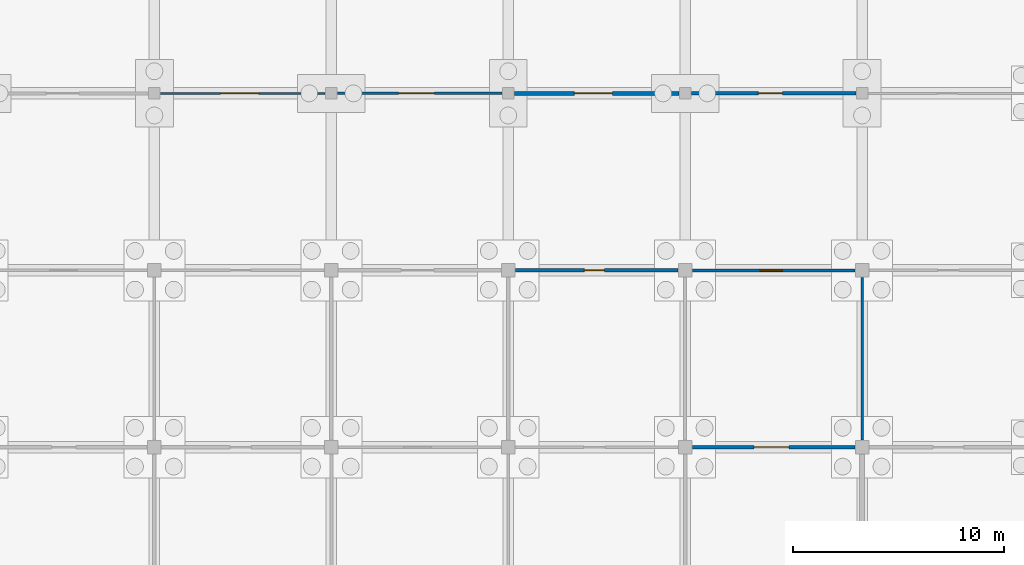
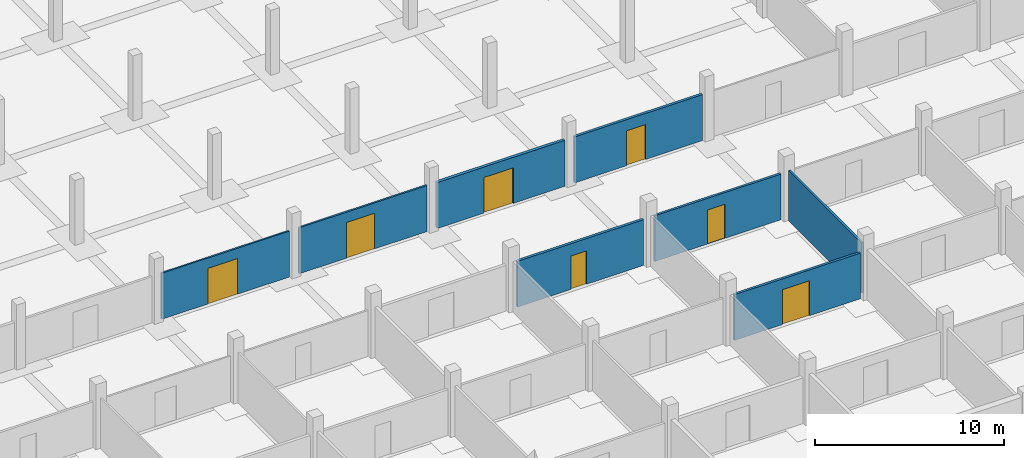
# One storey, part 24 of 43: 8 walls, 7 doors, 7 openings.
"""IFC4 building model written with IfcOpenShell, lengths in metres."""

from ifc_helpers import new_model, si_unit, direction, frame, frame_2d, origin, place, context, subcontext, project, spatial, rectangle, extrude, material, layer, layer_set, type_object, element, fill, save


model = new_model("IFC4")

# Units and contexts
model_context = context("Model", 3, precision=1e-05, world=origin(), true_north=direction((0.0, 1.0)))
body_context = subcontext(model_context, "Body", "Model", "MODEL_VIEW")
ifc_project = project(units=[si_unit("LENGTHUNIT", "METRE"), si_unit("AREAUNIT", "SQUARE_METRE"), si_unit("VOLUMEUNIT", "CUBIC_METRE"), si_unit("PLANEANGLEUNIT", "RADIAN"), si_unit("MASSUNIT", "GRAM", prefix="KILO")], contexts=[model_context])

# Site, building, storey
site_placement = place(None, origin())
site = spatial("IfcSite", under=ifc_project, at=site_placement, CompositionType="ELEMENT")
building_placement = place(site_placement, origin())
building = spatial("IfcBuilding", under=site, at=building_placement, Name="Varnapada Polytechnic", CompositionType="ELEMENT")
storey_placement = place(building_placement, frame((0.0, 0.0, -4.199951171875)))
storey = spatial("IfcBuildingStorey", under=building, at=storey_placement, Name="B1", CompositionType="ELEMENT", Elevation=-4.199951171875)

# Wall, opening, door
ifc_material_1 = material(Name="Autoclaved Aerated Concrete Block AAC-600", Category="concrete")
ifc_layer_1 = layer(ifc_material_1, 0.14990234375)
ifc_layer_set_1 = layer_set([ifc_layer_1], Name="Autoclaved Aerated Concrete Block AAC-600")
wall_type_1 = type_object("IfcWallType", Name="Interior Wall IW-02", PredefinedType="PARTITIONING", material=ifc_layer_set_1)
wall_1_placement = place(storey_placement, frame((117.945068359375, 33.60009765625, 0.0), z_axis=(0.0, 0.0, 1.0), x_axis=(1.0, 0.0, 0.0)))
wall_1 = element("IfcWall", 1, at=wall_1_placement, inside=storey, type_object=wall_type_1, Name="B1 interior partition IW-B1-14-03-H", PredefinedType="PARTITIONING", context=body_context, shape_type="SweptSolid", body=[
    extrude(rectangle(XDim=7.7099609375, YDim=0.14990234375, at=frame_2d((3.85498046875, 0.0))), origin(), (0.0, 0.0, 1.0), 2.949951171875),
])
opening_1_placement = place(wall_1_placement, frame((2.925048828125, 0.0, 0.0)))
opening_1 = element("IfcOpeningElement", 2, at=opening_1_placement, cuts=wall_1, Name="Opening D-737", PredefinedType="OPENING", context=body_context, shape_type="SweptSolid", body=[
    extrude(rectangle(XDim=1.64990234375, YDim=2.25, at=frame_2d((0.824951171875, 1.125))), frame((0.0, 0.0849609375, 0.0), z_axis=(0.0, -1.0, 0.0), x_axis=(1.0, 0.0, 0.0)), (0.0, 0.0, 1.0), 0.169921875),
])
ifc_material_2 = material(Name="Solid Teak Hardwood Timber", Category="wood")
door_type_1 = type_object("IfcDoorType", Name="Interior Door ID-08", OperationType="NOTDEFINED", PredefinedType="DOOR", material=ifc_material_2)
door_1_placement = place(opening_1_placement, frame((1.64990234375, 0.0, 0.0), z_axis=(0.0, 0.0, 1.0), x_axis=(-1.0, 0.0, 0.0)))
door_1 = element("IfcDoor", 3, at=door_1_placement, inside=storey, type_object=door_type_1, Name="B1 interior room door D-737", OperationType="SINGLE_SWING_RIGHT", OverallHeight=2.25, OverallWidth=1.64990234375, PredefinedType="DOOR", context=body_context, shape_type="SweptSolid", body=[
    extrude(rectangle(XDim=1.64990234375, YDim=2.25, at=frame_2d((0.824951171875, 1.125))), frame((0.0, 0.02490234375, 0.0), z_axis=(0.0, -1.0, 0.0), x_axis=(1.0, 0.0, 0.0)), (0.0, 0.0, 1.0), 0.050048828125),
])
fill(opening_1, door_1)

# Wall
ifc_material_3 = material(Name="Gypsum Plasterboard Acoustic Partition")
ifc_layer_2 = layer(ifc_material_3, 0.125)
ifc_layer_set_2 = layer_set([ifc_layer_2], Name="Gypsum Plasterboard Acoustic Partition")
wall_type_2 = type_object("IfcWallType", Name="Interior Wall IW-03", PredefinedType="PARTITIONING", material=ifc_layer_set_2)
wall_2_placement = place(storey_placement, frame((126.0, 33.945068359375, 0.0), z_axis=(0.0, 0.0, 1.0), x_axis=(0.0, 1.0, 0.0)))
element("IfcWall", 4, at=wall_2_placement, inside=storey, type_object=wall_type_2, Name="B1 interior partition IW-B1-14-04-V", PredefinedType="PARTITIONING", context=body_context, shape_type="SweptSolid", body=[
    extrude(rectangle(XDim=7.7099609375, YDim=0.125, at=frame_2d((3.85498046875, 0.0))), origin(), (0.0, 0.0, 1.0), 3.25),
])

# Wall, opening, door
ifc_material_4 = material(Name="Moisture-Resistant Cement Board Partition")
ifc_layer_3 = layer(ifc_material_4, 0.139892578125)
ifc_layer_set_3 = layer_set([ifc_layer_3], Name="Moisture-Resistant Cement Board Partition")
wall_type_3 = type_object("IfcWallType", Name="Interior Wall IW-04", PredefinedType="PARTITIONING", material=ifc_layer_set_3)
wall_3_placement = place(storey_placement, frame((117.945068359375, 42.0, 0.0), z_axis=(0.0, 0.0, 1.0), x_axis=(1.0, 0.0, 0.0)))
wall_3 = element("IfcWall", 5, at=wall_3_placement, inside=storey, type_object=wall_type_3, Name="B1 interior partition IW-B1-14-04-H", PredefinedType="PARTITIONING", context=body_context, shape_type="SweptSolid", body=[
    extrude(rectangle(XDim=7.7099609375, YDim=0.139892578125, at=frame_2d((3.85498046875, 0.0))), origin(), (0.0, 0.0, 1.0), 2.949951171875),
])
opening_2_placement = place(wall_3_placement, frame((3.22509765625, 0.0, 0.0)))
opening_2 = element("IfcOpeningElement", 6, at=opening_2_placement, cuts=wall_3, Name="Opening D-738", PredefinedType="OPENING", context=body_context, shape_type="SweptSolid", body=[
    extrude(rectangle(XDim=1.050048828125, YDim=2.199951171875, at=frame_2d((0.52490234375, 1.10009765625))), frame((0.0, 0.079833984375, 0.0), z_axis=(0.0, -1.0, 0.0), x_axis=(1.0, 0.0, 0.0)), (0.0, 0.0, 1.0), 0.159912109375),
])
door_type_2 = type_object("IfcDoorType", Name="Interior Door ID-09", OperationType="NOTDEFINED", PredefinedType="DOOR", material=ifc_material_2)
door_2_placement = place(opening_2_placement, origin())
door_2 = element("IfcDoor", 7, at=door_2_placement, inside=storey, type_object=door_type_2, Name="B1 interior room door D-738", OperationType="SINGLE_SWING_LEFT", OverallHeight=2.199951171875, OverallWidth=1.050048828125, PredefinedType="DOOR", context=body_context, shape_type="SweptSolid", body=[
    extrude(rectangle(XDim=1.050048828125, YDim=2.199951171875, at=frame_2d((0.52490234375, 1.10009765625))), frame((0.0, 0.02490234375, 0.0), z_axis=(0.0, -1.0, 0.0), x_axis=(1.0, 0.0, 0.0)), (0.0, 0.0, 1.0), 0.050048828125),
])
fill(opening_2, door_2)

ifc_material_5 = material(Name="Cross-laminated timber CLT C24", Category="wood")
ifc_layer_4 = layer(ifc_material_5, 0.159912109375)
ifc_layer_set_4 = layer_set([ifc_layer_4], Name="Cross-laminated timber CLT C24")
wall_type_4 = type_object("IfcWallType", Name="Interior Wall IW-05", PredefinedType="PARTITIONING", material=ifc_layer_set_4)
wall_4_placement = place(storey_placement, frame((109.544921875, 42.0, 0.0), z_axis=(0.0, 0.0, 1.0), x_axis=(1.0, 0.0, 0.0)))
wall_4 = element("IfcWall", 8, at=wall_4_placement, inside=storey, type_object=wall_type_4, Name="B1 interior partition IW-B1-13-04-H", PredefinedType="PARTITIONING", context=body_context, shape_type="SweptSolid", body=[
    extrude(rectangle(XDim=7.7099609375, YDim=0.159912109375, at=frame_2d((3.85498046875, 0.0))), origin(), (0.0, 0.0, 1.0), 2.949951171875),
])
opening_3_placement = place(wall_4_placement, frame((3.27490234375, 0.0, 0.0)))
opening_3 = element("IfcOpeningElement", 9, at=opening_3_placement, cuts=wall_4, Name="Opening D-732", PredefinedType="OPENING", context=body_context, shape_type="SweptSolid", body=[
    extrude(rectangle(XDim=0.949951171875, YDim=2.14990234375, at=frame_2d((0.47509765625, 1.074951171875))), frame((0.0, 0.08984375, 0.0), z_axis=(0.0, -1.0, 0.0), x_axis=(1.0, 0.0, 0.0)), (0.0, 0.0, 1.0), 0.179931640625),
])
ifc_material_6 = material(Name="Moisture-Resistant HPL Timber", Category="wood")
door_type_3 = type_object("IfcDoorType", Name="Interior Door ID-03", OperationType="NOTDEFINED", PredefinedType="DOOR", material=ifc_material_6)
door_3_placement = place(opening_3_placement, origin())
door_3 = element("IfcDoor", 10, at=door_3_placement, inside=storey, type_object=door_type_3, Name="B1 interior room door D-732", OperationType="SINGLE_SWING_LEFT", OverallHeight=2.14990234375, OverallWidth=0.949951171875, PredefinedType="DOOR", context=body_context, shape_type="SweptSolid", body=[
    extrude(rectangle(XDim=0.949951171875, YDim=2.14990234375, at=frame_2d((0.47509765625, 1.074951171875))), frame((0.0, 0.02490234375, 0.0), z_axis=(0.0, -1.0, 0.0), x_axis=(1.0, 0.0, 0.0)), (0.0, 0.0, 1.0), 0.050048828125),
])
fill(opening_3, door_3)

wall_5_placement = place(storey_placement, frame((117.89501953125, 50.39990234375, 0.0), z_axis=(0.0, 0.0, 1.0), x_axis=(1.0, 0.0, 0.0)))
wall_5 = element("IfcWall", 11, at=wall_5_placement, inside=storey, type_object=wall_type_4, Name="B1 interior partition IW-B1-14-05-H", PredefinedType="PARTITIONING", context=body_context, shape_type="SweptSolid", body=[
    extrude(rectangle(XDim=7.81005859375, YDim=0.159912109375, at=frame_2d((3.905029296875, 0.0))), origin(), (0.0, 0.0, 1.0), 2.969970703125),
])
opening_4_placement = place(wall_5_placement, frame((3.175048828125, 0.0, 0.0)))
opening_4 = element("IfcOpeningElement", 12, at=opening_4_placement, cuts=wall_5, Name="Opening D-739", PredefinedType="OPENING", context=body_context, shape_type="SweptSolid", body=[
    extrude(rectangle(XDim=1.14990234375, YDim=2.25, at=frame_2d((0.574951171875, 1.125))), frame((0.0, 0.08984375, 0.0), z_axis=(0.0, -1.0, 0.0), x_axis=(1.0, 0.0, 0.0)), (0.0, 0.0, 1.0), 0.179931640625),
])
ifc_material_7 = material(Name="Powder-Coated Aluminium 6063-T6", Category="aluminium")
door_type_4 = type_object("IfcDoorType", Name="Interior Door ID-10", OperationType="NOTDEFINED", PredefinedType="DOOR", material=ifc_material_7)
door_4_placement = place(opening_4_placement, origin())
door_4 = element("IfcDoor", 13, at=door_4_placement, inside=storey, type_object=door_type_4, Name="B1 interior room door D-739", OperationType="SINGLE_SWING_RIGHT", OverallHeight=2.25, OverallWidth=1.14990234375, PredefinedType="DOOR", context=body_context, shape_type="SweptSolid", body=[
    extrude(rectangle(XDim=1.14990234375, YDim=2.25, at=frame_2d((0.574951171875, 1.125))), frame((0.0, 0.02490234375, 0.0), z_axis=(0.0, -1.0, 0.0), x_axis=(1.0, 0.0, 0.0)), (0.0, 0.0, 1.0), 0.050048828125),
])
fill(opening_4, door_4)

ifc_material_8 = material(Name="Acoustic Double-Stud Studio Partition")
ifc_layer_5 = layer(ifc_material_8, 0.179931640625)
ifc_layer_set_5 = layer_set([ifc_layer_5], Name="Acoustic Double-Stud Studio Partition")
wall_type_5 = type_object("IfcWallType", Name="Interior Wall IW-06", PredefinedType="PARTITIONING", material=ifc_layer_set_5)
wall_6_placement = place(storey_placement, frame((109.4951171875, 50.39990234375, 0.0), z_axis=(0.0, 0.0, 1.0), x_axis=(1.0, 0.0, 0.0)))
wall_6 = element("IfcWall", 14, at=wall_6_placement, inside=storey, type_object=wall_type_5, Name="B1 interior partition IW-B1-13-05-H", PredefinedType="PARTITIONING", context=body_context, shape_type="SweptSolid", body=[
    extrude(rectangle(XDim=7.809814453125, YDim=0.179931640625, at=frame_2d((3.90478515625, 0.0))), origin(), (0.0, 0.0, 1.0), 2.969970703125),
])
opening_5_placement = place(wall_6_placement, frame((2.85009765625, 0.0, 0.0)))
opening_5 = element("IfcOpeningElement", 15, at=opening_5_placement, cuts=wall_6, Name="Opening D-733", PredefinedType="OPENING", context=body_context, shape_type="SweptSolid", body=[
    extrude(rectangle(XDim=1.800048828125, YDim=2.300048828125, at=frame_2d((0.89990234375, 1.14990234375))), frame((0.0, 0.099853515625, 0.0), z_axis=(0.0, -1.0, 0.0), x_axis=(1.0, 0.0, 0.0)), (0.0, 0.0, 1.0), 0.199951171875),
])
ifc_material_9 = material(Name="Acoustic Double Timber Leaf", Category="wood")
door_type_5 = type_object("IfcDoorType", Name="Interior Door ID-04", OperationType="NOTDEFINED", PredefinedType="DOOR", material=ifc_material_9)
door_5_placement = place(opening_5_placement, origin())
door_5 = element("IfcDoor", 16, at=door_5_placement, inside=storey, type_object=door_type_5, Name="B1 interior room door D-733", OperationType="SINGLE_SWING_RIGHT", OverallHeight=2.300048828125, OverallWidth=1.800048828125, PredefinedType="DOOR", context=body_context, shape_type="SweptSolid", body=[
    extrude(rectangle(XDim=1.800048828125, YDim=2.300048828125, at=frame_2d((0.89990234375, 1.14990234375))), frame((0.0, 0.02490234375, 0.0), z_axis=(0.0, -1.0, 0.0), x_axis=(1.0, 0.0, 0.0)), (0.0, 0.0, 1.0), 0.050048828125),
])
fill(opening_5, door_5)

ifc_material_10 = material(Name="Glazed Timber-Framed Studio Screen", Category="wood")
ifc_layer_6 = layer(ifc_material_10, 0.110107421875)
ifc_layer_set_6 = layer_set([ifc_layer_6], Name="Glazed Timber-Framed Studio Screen")
wall_type_6 = type_object("IfcWallType", Name="Interior Wall IW-07", PredefinedType="PARTITIONING", material=ifc_layer_set_6)
wall_7_placement = place(storey_placement, frame((101.094970703125, 50.39990234375, 0.0), z_axis=(0.0, 0.0, 1.0), x_axis=(1.0, 0.0, 0.0)))
wall_7 = element("IfcWall", 17, at=wall_7_placement, inside=storey, type_object=wall_type_6, Name="B1 interior partition IW-B1-12-05-H", PredefinedType="PARTITIONING", context=body_context, shape_type="SweptSolid", body=[
    extrude(rectangle(XDim=7.81005859375, YDim=0.110107421875, at=frame_2d((3.905029296875, 0.0))), origin(), (0.0, 0.0, 1.0), 2.969970703125),
])
opening_6_placement = place(wall_7_placement, frame((2.89990234375, 0.0, 0.0)))
opening_6 = element("IfcOpeningElement", 18, at=opening_6_placement, cuts=wall_7, Name="Opening D-725", PredefinedType="OPENING", context=body_context, shape_type="SweptSolid", body=[
    extrude(rectangle(XDim=1.699951171875, YDim=2.300048828125, at=frame_2d((0.85009765625, 1.14990234375))), frame((0.0, 0.06494140625, 0.0), z_axis=(0.0, -1.0, 0.0), x_axis=(1.0, 0.0, 0.0)), (0.0, 0.0, 1.0), 0.130126953125),
])
door_type_6 = type_object("IfcDoorType", Name="Interior Door ID-13", OperationType="NOTDEFINED", PredefinedType="DOOR", material=ifc_material_9)
door_6_placement = place(opening_6_placement, frame((1.699951171875, 0.0, 0.0), z_axis=(0.0, 0.0, 1.0), x_axis=(-1.0, 0.0, 0.0)))
door_6 = element("IfcDoor", 19, at=door_6_placement, inside=storey, type_object=door_type_6, Name="B1 interior room door D-725", OperationType="SINGLE_SWING_RIGHT", OverallHeight=2.300048828125, OverallWidth=1.699951171875, PredefinedType="DOOR", context=body_context, shape_type="SweptSolid", body=[
    extrude(rectangle(XDim=1.699951171875, YDim=2.300048828125, at=frame_2d((0.85009765625, 1.14990234375))), frame((0.0, 0.02490234375, 0.0), z_axis=(0.0, -1.0, 0.0), x_axis=(1.0, 0.0, 0.0)), (0.0, 0.0, 1.0), 0.050048828125),
])
fill(opening_6, door_6)

ifc_material_11 = material(Name="Operable Acoustic Seminar Partition")
ifc_layer_7 = layer(ifc_material_11, 0.10009765625)
ifc_layer_set_7 = layer_set([ifc_layer_7], Name="Operable Acoustic Seminar Partition")
wall_type_7 = type_object("IfcWallType", Name="Interior Wall IW-08", PredefinedType="MOVABLE", material=ifc_layer_set_7)
wall_8_placement = place(storey_placement, frame((92.695068359375, 50.39990234375, 0.0), z_axis=(0.0, 0.0, 1.0), x_axis=(1.0, 0.0, 0.0)))
wall_8 = element("IfcWall", 20, at=wall_8_placement, inside=storey, type_object=wall_type_7, Name="B1 interior partition IW-B1-11-05-H", PredefinedType="MOVABLE", context=body_context, shape_type="SweptSolid", body=[
    extrude(rectangle(XDim=7.809814453125, YDim=0.10009765625, at=frame_2d((3.90478515625, 0.0))), origin(), (0.0, 0.0, 1.0), 2.969970703125),
])
opening_7_placement = place(wall_8_placement, frame((2.85009765625, 0.0, 0.0)))
opening_7 = element("IfcOpeningElement", 21, at=opening_7_placement, cuts=wall_8, Name="Opening D-716", PredefinedType="OPENING", context=body_context, shape_type="SweptSolid", body=[
    extrude(rectangle(XDim=1.800048828125, YDim=2.300048828125, at=frame_2d((0.89990234375, 1.14990234375))), frame((0.0, 0.06005859375, 0.0), z_axis=(0.0, -1.0, 0.0), x_axis=(1.0, 0.0, 0.0)), (0.0, 0.0, 1.0), 0.1201171875),
])
door_7_placement = place(opening_7_placement, frame((1.800048828125, 0.0, 0.0), z_axis=(0.0, 0.0, 1.0), x_axis=(-1.0, 0.0, 0.0)))
door_7 = element("IfcDoor", 22, at=door_7_placement, inside=storey, type_object=door_type_5, Name="B1 interior room door D-716", OperationType="SINGLE_SWING_LEFT", OverallHeight=2.300048828125, OverallWidth=1.800048828125, PredefinedType="DOOR", context=body_context, shape_type="SweptSolid", body=[
    extrude(rectangle(XDim=1.800048828125, YDim=2.300048828125, at=frame_2d((0.89990234375, 1.14990234375))), frame((0.0, 0.02490234375, 0.0), z_axis=(0.0, -1.0, 0.0), x_axis=(1.0, 0.0, 0.0)), (0.0, 0.0, 1.0), 0.050048828125),
])
fill(opening_7, door_7)

save(model, "model.ifc")
